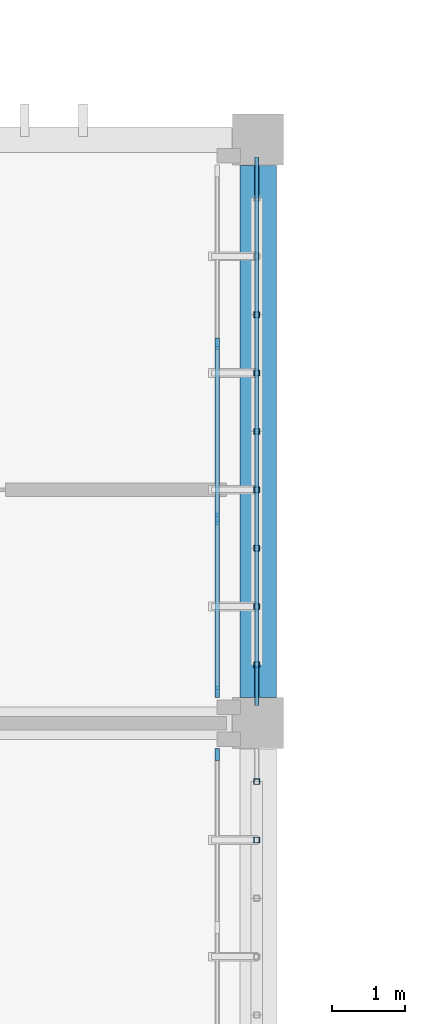
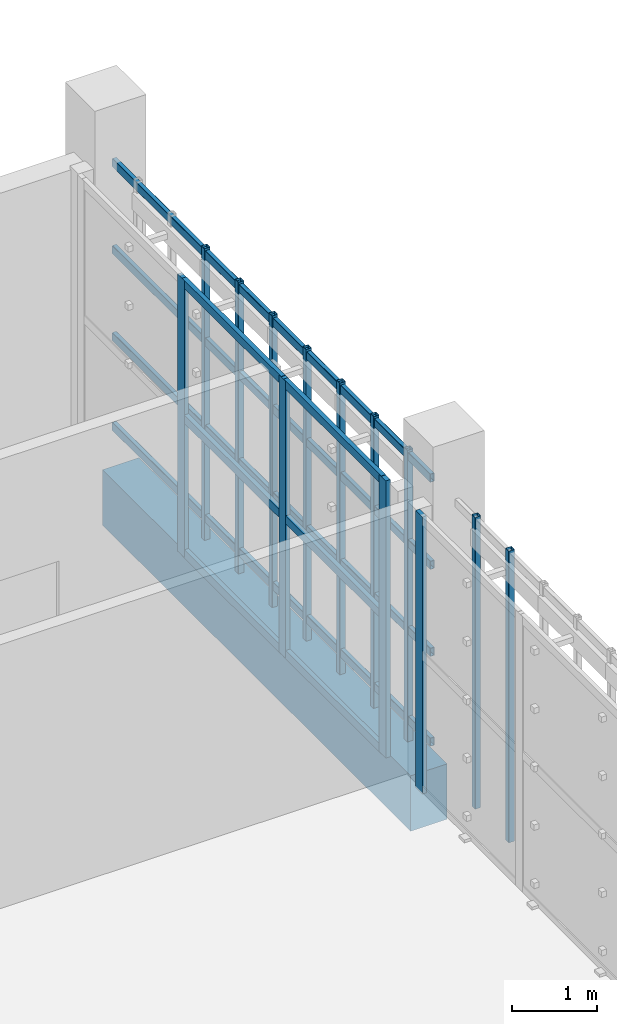
# One storey, part 68 of 117: 23 members, 1 beam, 2 elements without a shape of their own.
"""IFC4 building model written with IfcOpenShell, lengths in metres."""

from ifc_helpers import new_model, si_unit, direction, frame, origin, origin_2d, place, context, subcontext, project, spatial, rectangle, hollow_rectangle, extrude, material, layer, layer_set, material_profile, profile_set, type_object, element, aggregate, save


model = new_model("IFC4")

# Units and contexts
model_context = context("Model", 3, precision=1e-05, world=origin(), true_north=direction((0.0, 1.0)))
body_context = subcontext(model_context, "Body", "Model", "MODEL_VIEW")
ifc_project = project(units=[si_unit("LENGTHUNIT", "METRE"), si_unit("AREAUNIT", "SQUARE_METRE"), si_unit("VOLUMEUNIT", "CUBIC_METRE"), si_unit("PLANEANGLEUNIT", "RADIAN"), si_unit("MASSUNIT", "GRAM", prefix="KILO")], contexts=[model_context])

# Site, building, storey
site_placement = place(None, origin())
site = spatial("IfcSite", under=ifc_project, at=site_placement, CompositionType="ELEMENT")
building_placement = place(site_placement, origin())
building = spatial("IfcBuilding", under=site, at=building_placement, Name="Jelvoka-Kovrelna Polytechnic", CompositionType="ELEMENT")
storey_placement = place(building_placement, origin())
storey = spatial("IfcBuildingStorey", under=building, at=storey_placement, Name="L01", CompositionType="ELEMENT", Elevation=0.0)

# Beam
ifc_material_1 = material(Name="Concrete C40/50", Category="concrete")
ifc_material_profile_1 = material_profile(ifc_material_1, rectangle(XDim=0.5, YDim=0.800048828125, at=origin_2d()), Name="RC 500x800")
ifc_profile_set_1 = profile_set([ifc_material_profile_1], Name="Concrete C40/50")
beam_type = type_object("IfcBeamType", Name="Beam_RC_500x800", PredefinedType="BEAM", material=ifc_profile_set_1)
beam_placement = place(storey_placement, frame((200.0, 40.35498046875, -0.804931640625), z_axis=(0.0, 1.0, 0.0), x_axis=(-1.0, 0.0, 0.0)))
element("IfcBeam", 1, at=beam_placement, inside=storey, type_object=beam_type, Name="L01 beam 0442", PredefinedType="BEAM", context=body_context, shape_type="SweptSolid", body=[
    extrude(rectangle(XDim=0.5, YDim=0.800048828125, at=origin_2d()), origin(), (0.0, 0.0, 1.0), 7.2900390625),
])

# Members
ifc_material_2 = material(Name="Structural steel S355J2H", Category="steel")
ifc_material_profile_2 = material_profile(ifc_material_2, hollow_rectangle(XDim=0.06005859375, YDim=0.1201171875, WallThickness=0.0048828125, InnerFilletRadius=0.0048828125, OuterFilletRadius=0.007568359375, at=origin_2d()), Name="120x60x5.0 RHS")
ifc_profile_set_2 = profile_set([ifc_material_profile_2], Name="Structural steel S355J2H")
member_type_1 = type_object("IfcMemberType", Name="Member_Strut_RHS120", PredefinedType="STRUT", material=ifc_profile_set_2)
for number, where, z_axis, x_axis, name in (
    (2, (199.97998046875, 40.239990234375, 0.080078125), (0.0, 1.0, 0.0), (-1.0, 0.0, 0.0), "L01 terracotta screen horizontal strut 0313"),
    (3, (199.97998046875, 40.239990234375, 1.37548828125), (0.0, 1.0, 0.0), (-1.0, 0.0, 0.0), "L01 terracotta screen horizontal strut 0314"),
    (4, (199.97998046875, 40.239990234375, 2.6328125), (0.0, 1.0, 0.0), (-1.0, 0.0, 0.0), "L01 terracotta screen horizontal strut 0315"),
    (5, (199.97998046875, 40.239990234375, 3.889892578125), (0.0, 1.0, 0.0), (-1.0, 0.0, 0.0), "L01 terracotta screen horizontal strut 0316"),
):
    element("IfcMember", number, at=place(storey_placement, frame(where, z_axis=z_axis, x_axis=x_axis)), inside=storey, type_object=member_type_1, Name=name, PredefinedType="STRUT", context=body_context, shape_type="SweptSolid", body=[
        extrude(hollow_rectangle(XDim=0.06005859375, YDim=0.1201171875, WallThickness=0.0048828125, InnerFilletRadius=0.0048828125, OuterFilletRadius=0.007568359375, at=origin_2d()), origin(), (0.0, 0.0, 1.0), 7.52001953125),
    ])
ifc_material_3 = material(Name="Structural steel S355J2H", Category="steel")
ifc_material_profile_3 = material_profile(ifc_material_3, hollow_rectangle(XDim=0.080078125, YDim=0.080078125, WallThickness=0.0048828125, InnerFilletRadius=0.0048828125, OuterFilletRadius=0.007568359375, at=origin_2d()), Name="80x80x5.0 SHS")
ifc_profile_set_3 = profile_set([ifc_material_profile_3], Name="Structural steel S355J2H")
member_type_2 = type_object("IfcMemberType", Name="Member_Strut_SHS80", PredefinedType="STRUT", material=ifc_profile_set_3)
for number, where, z_axis, x_axis, name in (
    (6, (199.97998046875, 38.39990234375, -0.22998046875), (0.0, 0.0, 1.0), (1.0, 0.0, 0.0), "L01 terracotta lattice vertical rib 0311"),
    (7, (199.97998046875, 39.199951171875, -0.22998046875), (0.0, 0.0, 1.0), (1.0, 0.0, 0.0), "L01 terracotta lattice vertical rib 0312"),
    (8, (199.97998046875, 40.800048828125, -0.22998046875), (0.0, 0.0, 1.0), (1.0, 0.0, 0.0), "L01 terracotta lattice vertical rib 0317"),
    (9, (199.97998046875, 41.60009765625, -0.22998046875), (0.0, 0.0, 1.0), (1.0, 0.0, 0.0), "L01 terracotta lattice vertical rib 0318"),
    (10, (199.97998046875, 42.39990234375, -0.22998046875), (0.0, 0.0, 1.0), (1.0, 0.0, 0.0), "L01 terracotta lattice vertical rib 0319"),
    (11, (199.97998046875, 43.199951171875, -0.22998046875), (0.0, 0.0, 1.0), (1.0, 0.0, 0.0), "L01 terracotta lattice vertical rib 0320"),
    (12, (199.97998046875, 44.0, -0.22998046875), (0.0, 0.0, 1.0), (1.0, 0.0, 0.0), "L01 terracotta lattice vertical rib 0321"),
    (13, (199.97998046875, 44.800048828125, -0.22998046875), (0.0, 0.0, 1.0), (1.0, 0.0, 0.0), "L01 terracotta lattice vertical rib 0322"),
    (14, (199.97998046875, 45.60009765625, -0.22998046875), (0.0, 0.0, 1.0), (1.0, 0.0, 0.0), "L01 terracotta lattice vertical rib 0323"),
):
    element("IfcMember", number, at=place(storey_placement, frame(where, z_axis=z_axis, x_axis=x_axis)), inside=storey, type_object=member_type_2, Name=name, PredefinedType="STRUT", context=body_context, shape_type="SweptSolid", body=[
        extrude(hollow_rectangle(XDim=0.080078125, YDim=0.080078125, WallThickness=0.0048828125, InnerFilletRadius=0.0048828125, OuterFilletRadius=0.007568359375, at=origin_2d()), origin(), (0.0, 0.0, 1.0), 4.2099609375),
    ])

# Curtain wall, member
ifc_material_4 = material(Name="Anodised aluminium 6063-T6", Category="aluminium")
ifc_layer = layer(ifc_material_4, 0.159912109375)
ifc_layer_set = layer_set([ifc_layer], Name="Anodised aluminium 6063-T6")
curtain_wall_type = type_object("IfcCurtainWallType", Name="CW_Recessed_A", PredefinedType="NOTDEFINED", material=ifc_layer_set)
curtain_wall_1_placement = place(storey_placement, origin())
curtain_wall_1 = element("IfcCurtainWall", 15, at=curtain_wall_1_placement, inside=storey, type_object=curtain_wall_type, Name="L01 glazed curtain wall 044", PredefinedType="NOTDEFINED")
ifc_material_5 = material(Name="Anodised aluminium 6063-T6", Category="aluminium")
ifc_material_profile_4 = material_profile(ifc_material_5, rectangle(XDim=0.06005859375, YDim=0.159912109375, at=origin_2d()), Name="ALU 60x160")
ifc_profile_set_4 = profile_set([ifc_material_profile_4], Name="Anodised aluminium 6063-T6")
member_type_3 = type_object("IfcMemberType", Name="Mullion_M-01", PredefinedType="MULLION", material=ifc_profile_set_4)
member_1_placement = place(storey_placement, frame((199.43994140625, 39.570068359375, -0.02490234375), z_axis=(0.0, 0.0, 1.0), x_axis=(1.0, 0.0, 0.0)))
member_1 = element("IfcMember", 16, at=member_1_placement, type_object=member_type_3, Name="CW-01 mullion 1", PredefinedType="MULLION", context=body_context, shape_type="SweptSolid", body=[
    extrude(rectangle(XDim=0.06005859375, YDim=0.159912109375, at=origin_2d()), origin(), (0.0, 0.0, 1.0), 4.0),
])
aggregate(curtain_wall_1, [member_1])

# Curtain wall, members
curtain_wall_2_placement = place(storey_placement, origin())
curtain_wall_2 = element("IfcCurtainWall", 17, at=curtain_wall_2_placement, inside=storey, type_object=curtain_wall_type, Name="L01 glazed curtain wall 045", PredefinedType="NOTDEFINED")
member_2_placement = place(storey_placement, frame((199.43994140625, 45.199951171875, -0.02490234375), z_axis=(0.0, 0.0, 1.0), x_axis=(1.0, 0.0, 0.0)))
member_2 = element("IfcMember", 18, at=member_2_placement, type_object=member_type_3, Name="CW-01 mullion 2", PredefinedType="MULLION", context=body_context, shape_type="SweptSolid", body=[
    extrude(rectangle(XDim=0.06005859375, YDim=0.159912109375, at=origin_2d()), origin(), (0.0, 0.0, 1.0), 4.0),
])
member_3_placement = place(storey_placement, frame((199.43994140625, 42.800048828125, -0.02490234375), z_axis=(0.0, 0.0, 1.0), x_axis=(1.0, 0.0, 0.0)))
member_3 = element("IfcMember", 19, at=member_3_placement, type_object=member_type_3, Name="CW-01 mullion 3", PredefinedType="MULLION", context=body_context, shape_type="SweptSolid", body=[
    extrude(rectangle(XDim=0.06005859375, YDim=0.159912109375, at=origin_2d()), origin(), (0.0, 0.0, 1.0), 4.0),
])
member_4_placement = place(storey_placement, frame((199.43994140625, 40.429931640625, -0.02490234375), z_axis=(0.0, 0.0, 1.0), x_axis=(1.0, 0.0, 0.0)))
member_4 = element("IfcMember", 20, at=member_4_placement, type_object=member_type_3, Name="CW-01 mullion 4", PredefinedType="MULLION", context=body_context, shape_type="SweptSolid", body=[
    extrude(rectangle(XDim=0.06005859375, YDim=0.159912109375, at=origin_2d()), origin(), (0.0, 0.0, 1.0), 4.0),
])
ifc_material_6 = material(Name="Anodised aluminium 6063-T6", Category="aluminium")
ifc_material_profile_5 = material_profile(ifc_material_6, rectangle(XDim=0.06005859375, YDim=0.1201171875, at=origin_2d()), Name="ALU 60x120")
ifc_profile_set_5 = profile_set([ifc_material_profile_5], Name="Anodised aluminium 6063-T6")
member_type_4 = type_object("IfcMemberType", Name="Transom_T-01", PredefinedType="USERDEFINED", material=ifc_profile_set_5)
member_5_placement = place(storey_placement, frame((199.43994140625, 45.169921875, 0.030029296875), z_axis=(0.0, -1.0, 0.0), x_axis=(1.0, 0.0, 0.0)))
member_5 = element("IfcMember", 21, at=member_5_placement, type_object=member_type_4, Name="CW-01 transom 2.1", ObjectType="TRANSOM", PredefinedType="USERDEFINED", context=body_context, shape_type="SweptSolid", body=[
    extrude(rectangle(XDim=0.06005859375, YDim=0.1201171875, at=origin_2d()), origin(), (0.0, 0.0, 1.0), 2.33984375),
])
member_6_placement = place(storey_placement, frame((199.43994140625, 45.169921875, 1.97509765625), z_axis=(0.0, -1.0, 0.0), x_axis=(1.0, 0.0, 0.0)))
member_6 = element("IfcMember", 22, at=member_6_placement, type_object=member_type_4, Name="CW-01 transom 2.2", ObjectType="TRANSOM", PredefinedType="USERDEFINED", context=body_context, shape_type="SweptSolid", body=[
    extrude(rectangle(XDim=0.06005859375, YDim=0.1201171875, at=origin_2d()), origin(), (0.0, 0.0, 1.0), 2.33984375),
])
member_7_placement = place(storey_placement, frame((199.43994140625, 45.169921875, 3.919921875), z_axis=(0.0, -1.0, 0.0), x_axis=(1.0, 0.0, 0.0)))
member_7 = element("IfcMember", 23, at=member_7_placement, type_object=member_type_4, Name="CW-01 transom 2.3", ObjectType="TRANSOM", PredefinedType="USERDEFINED", context=body_context, shape_type="SweptSolid", body=[
    extrude(rectangle(XDim=0.06005859375, YDim=0.1201171875, at=origin_2d()), origin(), (0.0, 0.0, 1.0), 2.33984375),
])
member_8_placement = place(storey_placement, frame((199.43994140625, 42.77001953125, 0.030029296875), z_axis=(0.0, -1.0, 0.0), x_axis=(1.0, 0.0, 0.0)))
member_8 = element("IfcMember", 24, at=member_8_placement, type_object=member_type_4, Name="CW-01 transom 3.1", ObjectType="TRANSOM", PredefinedType="USERDEFINED", context=body_context, shape_type="SweptSolid", body=[
    extrude(rectangle(XDim=0.06005859375, YDim=0.1201171875, at=origin_2d()), origin(), (0.0, 0.0, 1.0), 2.31005859375),
])
member_9_placement = place(storey_placement, frame((199.43994140625, 42.77001953125, 1.97509765625), z_axis=(0.0, -1.0, 0.0), x_axis=(1.0, 0.0, 0.0)))
member_9 = element("IfcMember", 25, at=member_9_placement, type_object=member_type_4, Name="CW-01 transom 3.2", ObjectType="TRANSOM", PredefinedType="USERDEFINED", context=body_context, shape_type="SweptSolid", body=[
    extrude(rectangle(XDim=0.06005859375, YDim=0.1201171875, at=origin_2d()), origin(), (0.0, 0.0, 1.0), 2.31005859375),
])
member_10_placement = place(storey_placement, frame((199.43994140625, 42.77001953125, 3.919921875), z_axis=(0.0, -1.0, 0.0), x_axis=(1.0, 0.0, 0.0)))
member_10 = element("IfcMember", 26, at=member_10_placement, type_object=member_type_4, Name="CW-01 transom 3.3", ObjectType="TRANSOM", PredefinedType="USERDEFINED", context=body_context, shape_type="SweptSolid", body=[
    extrude(rectangle(XDim=0.06005859375, YDim=0.1201171875, at=origin_2d()), origin(), (0.0, 0.0, 1.0), 2.31005859375),
])
aggregate(curtain_wall_2, [member_2, member_3, member_4, member_5, member_6, member_7, member_8, member_9, member_10])

save(model, "model.ifc")
